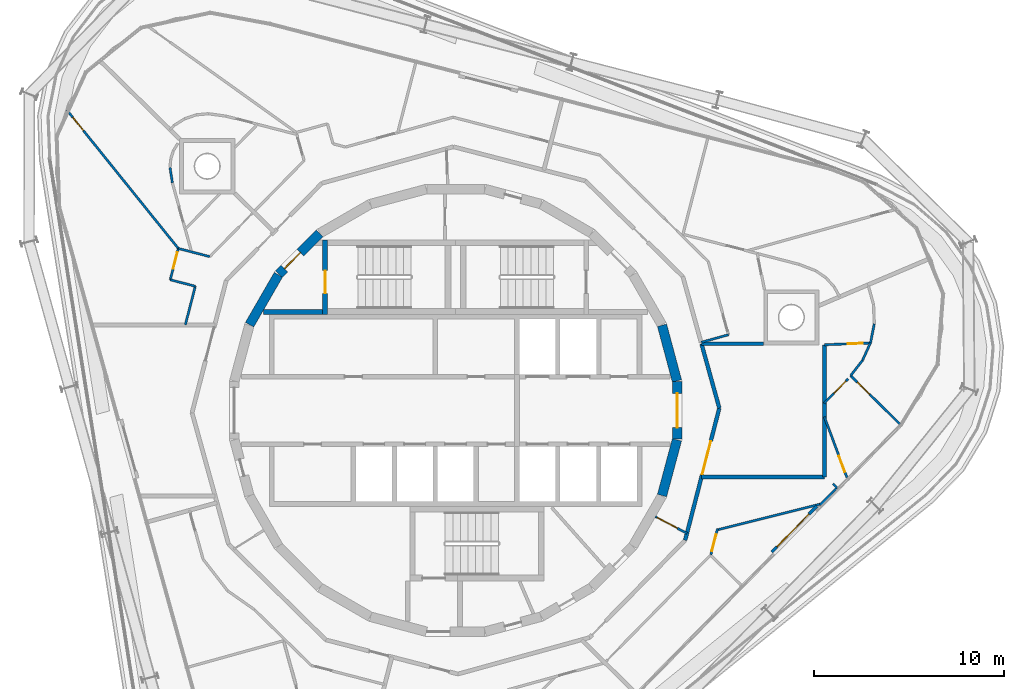
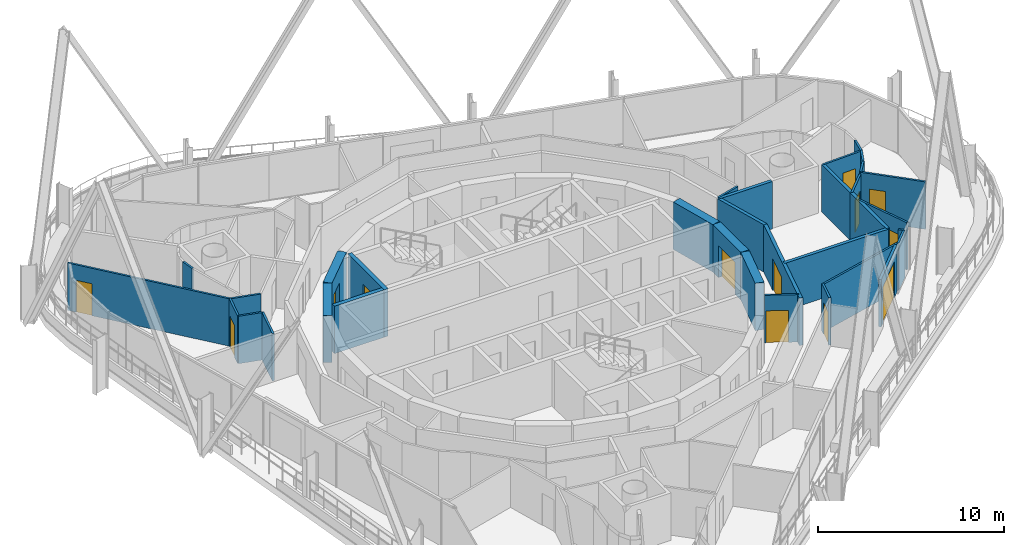
# One storey, part 12 of 18: 33 walls, 13 doors, 13 openings.
"""IFC4 building model written with IfcOpenShell, lengths in metres."""

import ifcopenshell
import ifcopenshell.guid

model = None  # the IFC model being written
_history = None  # IfcOwnerHistory: only IFC2X3 demands one
_inside = {}  # id of a spatial element -> (the spatial element, [elements in it])
_under = {}  # id of a project, library or spatial element -> (it, [spatial elements below it])
_declared = {}  # id of a project -> (the project, [libraries it declares])
_typed = {}  # id of a type object -> (the type object, [elements of that type])
_made_of = {}  # id of a material, layer set ... -> (it, [elements and type objects made of it])


def new_model(schema):
    """Start an empty IFC model of exactly this schema.

    Asked for "IFC4X3", IfcOpenShell would pick the latest addendum, in which some entities
    have other attributes; the version numbers below select the first issue.
    IFC2X3 requires an IfcOwnerHistory on every rooted entity: one is made here for all.
    """
    global model, _history
    if schema == "IFC4X3":
        model = ifcopenshell.file(schema_version=(4, 3, 0, 0))
    else:
        model = ifcopenshell.file(schema=schema)
    _inside.clear()
    _under.clear()
    _declared.clear()
    _typed.clear()
    _made_of.clear()
    _history = None
    if model.schema == "IFC2X3":
        org = make("IfcOrganization", Name="unknown")
        user = make(
            "IfcPersonAndOrganization",
            ThePerson=make("IfcPerson", FamilyName="unknown"),
            TheOrganization=org,
        )
        app = make(
            "IfcApplication",
            ApplicationDeveloper=org,
            Version="unknown",
            ApplicationFullName="unknown",
            ApplicationIdentifier="unknown",
        )
        _history = make(
            "IfcOwnerHistory",
            OwningUser=user,
            OwningApplication=app,
            ChangeAction="ADDED",
            CreationDate=0,
        )
    return model


def make(cls, **values):
    """One entity of the class cls with the attributes given. An attribute that is None is left unset."""
    return model.create_entity(
        cls, **{name: value for name, value in values.items() if value is not None}
    )


def rooted(cls, **values):
    """An entity with a GlobalId (a new one), such as an element, a storey or a relation."""
    return make(cls, GlobalId=ifcopenshell.guid.new(), OwnerHistory=_history, **values)


def si_unit(unit_type, name, prefix=None):
    """IfcSIUnit, for example si_unit("LENGTHUNIT", "METRE", prefix="MILLI")."""
    return make("IfcSIUnit", UnitType=unit_type, Prefix=prefix, Name=name)


def assignment(units):
    """IfcUnitAssignment: the units of a project."""
    return None if units is None else make("IfcUnitAssignment", Units=units)


def point(xyz):
    """IfcCartesianPoint."""
    return None if xyz is None else make("IfcCartesianPoint", Coordinates=xyz)


def direction(xyz):
    """IfcDirection."""
    return None if xyz is None else make("IfcDirection", DirectionRatios=xyz)


def frame(location, z_axis=None, x_axis=None):
    """IfcAxis2Placement3D, a coordinate frame: its origin and axes. An axis left out is left unset."""
    return make(
        "IfcAxis2Placement3D",
        Location=point(location),
        Axis=direction(z_axis),
        RefDirection=direction(x_axis),
    )


def frame_2d(location, x_axis=None):
    """IfcAxis2Placement2D, a coordinate frame in the plane: its origin and x axis."""
    return make(
        "IfcAxis2Placement2D", Location=point(location), RefDirection=direction(x_axis)
    )


def origin():
    """The frame at (0, 0, 0) with its axes left unset."""
    return frame((0.0, 0.0, 0.0))


def place(relative_to, where):
    """IfcLocalPlacement: puts the frame where relative to a parent placement (None: the world)."""
    return make(
        "IfcLocalPlacement", PlacementRelTo=relative_to, RelativePlacement=where
    )


def context(
    kind, dimensions, precision=None, world=None, true_north=None, identifier=None
):
    """IfcGeometricRepresentationContext, for example the 3D "Model" context."""
    return make(
        "IfcGeometricRepresentationContext",
        ContextIdentifier=identifier,
        ContextType=kind,
        CoordinateSpaceDimension=dimensions,
        Precision=precision,
        WorldCoordinateSystem=world,
        TrueNorth=true_north,
    )


def subcontext(parent, identifier, kind, view, scale=None):
    """IfcGeometricRepresentationSubContext, for example "Body" below "Model"."""
    return make(
        "IfcGeometricRepresentationSubContext",
        ContextIdentifier=identifier,
        ContextType=kind,
        ParentContext=parent,
        TargetScale=scale,
        TargetView=view,
    )


def project(units=None, contexts=None):
    """IfcProject with its units and contexts."""
    return rooted(
        "IfcProject",
        Name="project",
        RepresentationContexts=contexts,
        UnitsInContext=assignment(units),
    )


def spatial(cls, under=None, at=None, **own):
    """A site, building, storey or space (cls), placed at a placement, below another one or the project."""
    s = rooted(cls, ObjectPlacement=at, **own)
    if under is not None:
        _under.setdefault(under.id(), (under, []))[1].append(s)
    return s


def profile(cls, at=None, kind="AREA", **sizes):
    """A parametric profile (cls). Its sizes go by their IFC names, for example OverallWidth=200.0."""
    return make(cls, ProfileType=kind, Position=at, **sizes)


def rectangle(**sizes):
    """IfcRectangleProfileDef."""
    return profile("IfcRectangleProfileDef", **sizes)


def extrude(swept, where, along, depth):
    """IfcExtrudedAreaSolid: the profile swept, set in the frame where, extruded along a direction by depth."""
    return make(
        "IfcExtrudedAreaSolid",
        SweptArea=swept,
        Position=where,
        ExtrudedDirection=direction(along),
        Depth=depth,
    )


def shape(context_of_items, identifier, shape_type, items):
    """IfcShapeRepresentation: the items that make up one representation, for example the "Body"."""
    return make(
        "IfcShapeRepresentation",
        ContextOfItems=context_of_items,
        RepresentationIdentifier=identifier,
        RepresentationType=shape_type,
        Items=items,
    )


def material(Name=None, Category=None):
    """IfcMaterial."""
    return make("IfcMaterial", Name=Name, Category=Category)


def layer(
    of_material, thickness, ventilated=None, Name=None, Category=None, Priority=None
):
    """IfcMaterialLayer: one layer of a wall or slab, of a material (None: an air gap)."""
    return make(
        "IfcMaterialLayer",
        Material=of_material,
        LayerThickness=thickness,
        IsVentilated=ventilated,
        Name=Name,
        Category=Category,
        Priority=Priority,
    )


def layer_set(layers, Name=None):
    """IfcMaterialLayerSet."""
    return make("IfcMaterialLayerSet", MaterialLayers=layers, LayerSetName=Name)


def made_of(thing, what):
    """Note that an element or type object is made of a material, layer set ...; save() writes the relation."""
    if what is not None:
        _made_of.setdefault(what.id(), (what, []))[1].append(thing)
    return thing


def type_object(cls, material=None, **own):
    """A type object (cls), such as IfcWallType, which elements share."""
    return made_of(rooted(cls, **own), material)


def element(
    cls,
    number,
    at=None,
    inside=None,
    cuts=None,
    type_object=None,
    material=None,
    context=None,
    identifier="Body",
    shape_type=None,
    held_by="IfcProductDefinitionShape",
    body=None,
    shapes=None,
    **own,
):
    """One element of the class cls, such as IfcWall. Its Tag is "e" and its number.

    at: its placement. inside: the storey or other place that contains it. cuts: it is an
    opening in that element (IfcRelVoidsElement). A single representation is given by context,
    identifier, shape_type and body (its items); several are given by shapes. held_by: the class
    of the entity that holds the representations. save() writes the other relations.
    """
    e = rooted(cls, Tag="e%d" % number, ObjectPlacement=at, **own)
    if body is not None:
        shapes = [shape(context, identifier, shape_type, body)]
    if shapes is not None:
        e.Representation = make(held_by, Representations=shapes)
    if inside is not None:
        _inside.setdefault(inside.id(), (inside, []))[1].append(e)
    if cuts is not None:
        rooted(
            "IfcRelVoidsElement", RelatingBuildingElement=cuts, RelatedOpeningElement=e
        )
    if type_object is not None:
        _typed.setdefault(type_object.id(), (type_object, []))[1].append(e)
    return made_of(e, material)


def fill(opening, filler):
    """IfcRelFillsElement: the door or window that sits in an opening."""
    return rooted(
        "IfcRelFillsElement",
        RelatingOpeningElement=opening,
        RelatedBuildingElement=filler,
    )


def aggregate(whole, parts):
    """IfcRelAggregates: a whole, such as a stair, and the parts it consists of."""
    return rooted("IfcRelAggregates", RelatingObject=whole, RelatedObjects=parts)


def save(model, path):
    """Write the relations noted so far, then the file.

    IfcRelAggregates (storeys below a building ...), IfcRelContainedInSpatialStructure (elements
    in a storey), IfcRelDefinesByType, IfcRelAssociatesMaterial and IfcRelDeclares: one each for
    every whole, place, type object, material and project.
    """
    for whole, parts in _under.values():
        aggregate(whole, parts)
    for where, things in _inside.values():
        rooted(
            "IfcRelContainedInSpatialStructure",
            RelatedElements=things,
            RelatingStructure=where,
        )
    for kind, things in _typed.values():
        rooted("IfcRelDefinesByType", RelatedObjects=things, RelatingType=kind)
    for what, things in _made_of.values():
        rooted("IfcRelAssociatesMaterial", RelatedObjects=things, RelatingMaterial=what)
    for by, libraries in _declared.values():
        rooted("IfcRelDeclares", RelatingContext=by, RelatedDefinitions=libraries)
    model.write(path)


model = new_model("IFC4")

# Units and contexts
model_context = context("Model", 3, precision=1e-05, world=origin(), true_north=direction((0.0, 1.0)))
body_context = subcontext(model_context, "Body", "Model", "MODEL_VIEW")
ifc_project = project(units=[si_unit("LENGTHUNIT", "METRE"), si_unit("AREAUNIT", "SQUARE_METRE"), si_unit("VOLUMEUNIT", "CUBIC_METRE"), si_unit("PLANEANGLEUNIT", "RADIAN"), si_unit("MASSUNIT", "GRAM", prefix="KILO")], contexts=[model_context])

# Site, building, storey
site_placement = place(None, origin())
site = spatial("IfcSite", under=ifc_project, at=site_placement, CompositionType="ELEMENT")
building_placement = place(site_placement, origin())
building = spatial("IfcBuilding", under=site, at=building_placement, Name="Spindle Arch Residences", CompositionType="ELEMENT")
storey_placement = place(building_placement, frame((0.0, 0.0, 298.199951171875)))
storey = spatial("IfcBuildingStorey", under=building, at=storey_placement, Name="L76", CompositionType="ELEMENT", Elevation=298.199951171875)

# Wall
ifc_material_1 = material(Name="Concrete C50/60", Category="concrete")
ifc_layer_1 = layer(ifc_material_1, 0.5)
ifc_layer_set_1 = layer_set([ifc_layer_1], Name="Core outline wall 500")
wall_type_1 = type_object("IfcWallType", Name="Core outline wall 500", PredefinedType="SHEAR", material=ifc_layer_set_1)
wall_1_placement = place(storey_placement, frame((10.858154296875, -4.479248046875, 0.0), z_axis=(0.0, 0.0, 1.0), x_axis=(0.258734743916, 0.965948410781, 0.0)))
element("IfcWall", 1, at=wall_1_placement, inside=storey, type_object=wall_type_1, Name="Core outline wall 5", PredefinedType="SHEAR", context=body_context, shape_type="SweptSolid", body=[
    extrude(rectangle(XDim=3.03271484375, YDim=0.5, at=frame_2d((1.516357421875, 0.0))), origin(), (0.0, 0.0, 1.0), 3.1201171875),
])

# Wall, opening, door
wall_2_placement = place(storey_placement, frame((11.647216796875, -1.516357421875, 0.0), z_axis=(0.0, 0.0, 1.0), x_axis=(0.0, 1.0, 0.0)))
wall_2 = element("IfcWall", 2, at=wall_2_placement, inside=storey, type_object=wall_type_1, Name="Core outline wall 6", PredefinedType="SHEAR", context=body_context, shape_type="SweptSolid", body=[
    extrude(rectangle(XDim=3.03271484375, YDim=0.5, at=frame_2d((1.516357421875, 0.0))), origin(), (0.0, 0.0, 1.0), 3.1201171875),
])
opening_1_placement = place(wall_2_placement, frame((0.6162109375, 0.0, 0.0)))
opening_1 = element("IfcOpeningElement", 3, at=opening_1_placement, cuts=wall_2, Name="Opening R8A0-FE01", PredefinedType="OPENING", context=body_context, shape_type="SweptSolid", body=[
    extrude(rectangle(XDim=1.800048828125, YDim=2.10009765625, at=frame_2d((0.89990234375, 1.050048828125))), frame((0.0, 0.260009765625, 0.0), z_axis=(0.0, -1.0, 0.0), x_axis=(1.0, 0.0, 0.0)), (0.0, 0.0, 1.0), 0.52001953125),
])
ifc_material_2 = material(Name="Steel, fire-resisting door", Category="steel")
door_type_1 = type_object("IfcDoorType", Name="Fire-lift lobby door 1800x2100", OperationType="DOUBLE_DOOR_SINGLE_SWING", PredefinedType="DOOR", material=ifc_material_2)
door_1_placement = place(opening_1_placement, origin())
door_1 = element("IfcDoor", 4, at=door_1_placement, inside=storey, type_object=door_type_1, Name="Fire-lift lobby door R8A0-FE01", OperationType="DOUBLE_DOOR_SINGLE_SWING", OverallHeight=2.10009765625, OverallWidth=1.800048828125, PredefinedType="DOOR", context=body_context, shape_type="SweptSolid", body=[
    extrude(rectangle(XDim=1.800048828125, YDim=2.10009765625, at=frame_2d((0.89990234375, 1.050048828125))), frame((0.0, 0.02490234375, 0.0), z_axis=(0.0, -1.0, 0.0), x_axis=(1.0, 0.0, 0.0)), (0.0, 0.0, 1.0), 0.050048828125),
])
fill(opening_1, door_1)

# Wall
wall_3_placement = place(storey_placement, frame((11.642822265625, 1.5498046875, 0.0), z_axis=(0.0, 0.0, 1.0), x_axis=(-0.258734743916, 0.965948410781, 0.0)))
element("IfcWall", 5, at=wall_3_placement, inside=storey, type_object=wall_type_1, Name="Core outline wall 7", PredefinedType="SHEAR", context=body_context, shape_type="SweptSolid", body=[
    extrude(rectangle(XDim=3.03271484375, YDim=0.5, at=frame_2d((1.516357421875, 0.0))), origin(), (0.0, 0.0, 1.0), 3.1201171875),
])

# Wall, opening, door
wall_4_placement = place(storey_placement, frame((-7.163818359375, 9.30810546875, 0.0), z_axis=(0.0, 0.0, 1.0), x_axis=(-0.707106781187, -0.707106781187, 0.0)))
wall_4 = element("IfcWall", 6, at=wall_4_placement, inside=storey, type_object=wall_type_1, Name="Core outline wall 15", PredefinedType="SHEAR", context=body_context, shape_type="SweptSolid", body=[
    extrude(rectangle(XDim=3.032470703125, YDim=0.5, at=frame_2d((1.51611328125, 0.0))), origin(), (0.0, 0.0, 1.0), 3.1201171875),
])
opening_2_placement = place(wall_4_placement, frame((1.416259765625, 0.0, 0.0)))
opening_2 = element("IfcOpeningElement", 7, at=opening_2_placement, cuts=wall_4, Name="Opening R8A0-AD02", PredefinedType="OPENING", context=body_context, shape_type="SweptSolid", body=[
    extrude(rectangle(XDim=1.199951171875, YDim=2.10009765625, at=frame_2d((0.60009765625, 1.050048828125))), frame((0.0, 0.260009765625, 0.0), z_axis=(0.0, -1.0, 0.0), x_axis=(1.0, 0.0, 0.0)), (0.0, 0.0, 1.0), 0.52001953125),
])
ifc_material_3 = material(Name="Steel, fire-resisting door", Category="steel")
door_type_2 = type_object("IfcDoorType", Name="Stair airlock door 1200x2100", OperationType="SINGLE_SWING_LEFT", PredefinedType="DOOR", material=ifc_material_3)
door_2_placement = place(opening_2_placement, origin())
door_2 = element("IfcDoor", 8, at=door_2_placement, inside=storey, type_object=door_type_2, Name="Stair airlock door R8A0-AD02", OperationType="SINGLE_SWING_RIGHT", OverallHeight=2.10009765625, OverallWidth=1.199951171875, PredefinedType="DOOR", context=body_context, shape_type="SweptSolid", body=[
    extrude(rectangle(XDim=1.199951171875, YDim=2.10009765625, at=frame_2d((0.60009765625, 1.050048828125))), frame((0.0, 0.02490234375, 0.0), z_axis=(0.0, -1.0, 0.0), x_axis=(1.0, 0.0, 0.0)), (0.0, 0.0, 1.0), 0.050048828125),
])
fill(opening_2, door_2)

# Wall
wall_5_placement = place(storey_placement, frame((-9.32861328125, 7.13671875, 0.0), z_axis=(0.0, 0.0, 1.0), x_axis=(-0.500087131594, -0.865975092491, 0.0)))
element("IfcWall", 9, at=wall_5_placement, inside=storey, type_object=wall_type_1, Name="Core outline wall 16", PredefinedType="SHEAR", context=body_context, shape_type="SweptSolid", body=[
    extrude(rectangle(XDim=3.03271484375, YDim=0.5, at=frame_2d((1.516357421875, 0.0))), origin(), (0.0, 0.0, 1.0), 3.1201171875),
])

# Wall, opening, door
ifc_material_4 = material(Name="Plasterboard on steel studs", Category="steel")
ifc_layer_2 = layer(ifc_material_4, 0.1201171875)
ifc_layer_set_2 = layer_set([ifc_layer_2], Name="Corridor division wall 120")
wall_type_2 = type_object("IfcWallType", Name="Corridor division wall 120", PredefinedType="PARTITIONING", material=ifc_layer_set_2)
wall_6_placement = place(storey_placement, frame((10.510986328125, -5.5888671875, 0.0), z_axis=(0.0, 0.0, 1.0), x_axis=(0.882957311919, -0.469453283437, 0.0)))
wall_6 = element("IfcWall", 10, at=wall_6_placement, inside=storey, type_object=wall_type_2, Name="Corridor division wall R8A0-W002", PredefinedType="PARTITIONING", context=body_context, shape_type="SweptSolid", body=[
    extrude(rectangle(XDim=1.87646484375, YDim=0.1201171875, at=frame_2d((0.938232421875, 0.0))), origin(), (0.0, 0.0, 1.0), 3.1201171875),
])
opening_3_placement = place(wall_6_placement, frame((0.10009765625, 0.0, 0.0)))
opening_3 = element("IfcOpeningElement", 11, at=opening_3_placement, cuts=wall_6, Name="Opening R8A0-CD02", PredefinedType="OPENING", context=body_context, shape_type="SweptSolid", body=[
    extrude(rectangle(XDim=1.199951171875, YDim=2.10009765625, at=frame_2d((0.60009765625, 1.050048828125))), frame((0.0, 0.070068359375, 0.0), z_axis=(0.0, -1.0, 0.0), x_axis=(1.0, 0.0, 0.0)), (0.0, 0.0, 1.0), 0.14013671875),
])
ifc_material_5 = material(Name="Steel, fire-resisting door", Category="steel")
door_type_3 = type_object("IfcDoorType", Name="Corridor division door 1200x2100", OperationType="NOTDEFINED", PredefinedType="DOOR", material=ifc_material_5)
door_3_placement = place(opening_3_placement, origin())
door_3 = element("IfcDoor", 12, at=door_3_placement, inside=storey, type_object=door_type_3, Name="Corridor division door R8A0-CD02", OperationType="DOUBLE_DOOR_SINGLE_SWING", OverallHeight=2.10009765625, OverallWidth=1.199951171875, PredefinedType="DOOR", context=body_context, shape_type="SweptSolid", body=[
    extrude(rectangle(XDim=1.199951171875, YDim=2.10009765625, at=frame_2d((0.60009765625, 1.050048828125))), frame((0.0, 0.02490234375, 0.0), z_axis=(0.0, -1.0, 0.0), x_axis=(1.0, 0.0, 0.0)), (0.0, 0.0, 1.0), 0.050048828125),
])
fill(opening_3, door_3)

ifc_material_6 = material(Name="Calcium silicate block, plastered")
ifc_layer_3 = layer(ifc_material_6, 0.199951171875)
ifc_layer_set_3 = layer_set([ifc_layer_3], Name="Fire-lift lobby bay wall 200")
wall_type_3 = type_object("IfcWallType", Name="Fire-lift lobby bay wall 200", PredefinedType="STANDARD", material=ifc_layer_set_3)
wall_7_placement = place(storey_placement, frame((12.07421875, -6.831298828125, 0.0), z_axis=(0.0, 0.0, 1.0), x_axis=(0.250391063186, 0.968144780225, 0.0)))
wall_7 = element("IfcWall", 13, at=wall_7_placement, inside=storey, type_object=wall_type_3, Name="Fire-lift lobby bay wall R8A0-W004", PredefinedType="STANDARD", context=body_context, shape_type="SweptSolid", body=[
    extrude(rectangle(XDim=7.18115234375, YDim=0.199951171875, at=frame_2d((3.590576171875, 0.0))), origin(), (0.0, 0.0, 1.0), 3.1201171875),
])
opening_4_placement = place(wall_7_placement, frame((3.580810546875, 0.0, 0.0)))
opening_4 = element("IfcOpeningElement", 14, at=opening_4_placement, cuts=wall_7, Name="Opening R8A0-FB01", PredefinedType="OPENING", context=body_context, shape_type="SweptSolid", body=[
    extrude(rectangle(XDim=1.800048828125, YDim=2.10009765625, at=frame_2d((0.89990234375, 1.050048828125))), frame((0.0, 0.10986328125, 0.0), z_axis=(0.0, -1.0, 0.0), x_axis=(1.0, 0.0, 0.0)), (0.0, 0.0, 1.0), 0.219970703125),
])
ifc_material_7 = material(Name="Steel, fire-resisting door", Category="steel")
door_type_4 = type_object("IfcDoorType", Name="Fire-lift lobby bay door 1800x2100", OperationType="NOTDEFINED", PredefinedType="DOOR", material=ifc_material_7)
door_4_placement = place(opening_4_placement, origin())
door_4 = element("IfcDoor", 15, at=door_4_placement, inside=storey, type_object=door_type_4, Name="Fire-lift lobby bay door R8A0-FB01", OperationType="DOUBLE_DOOR_SINGLE_SWING", OverallHeight=2.10009765625, OverallWidth=1.800048828125, PredefinedType="DOOR", context=body_context, shape_type="SweptSolid", body=[
    extrude(rectangle(XDim=1.800048828125, YDim=2.10009765625, at=frame_2d((0.89990234375, 1.050048828125))), frame((0.0, 0.02490234375, 0.0), z_axis=(0.0, -1.0, 0.0), x_axis=(1.0, 0.0, 0.0)), (0.0, 0.0, 1.0), 0.050048828125),
])
fill(opening_4, door_4)

# Walls
wall_8_placement = place(storey_placement, frame((13.872314453125, 0.12109375, 0.0), z_axis=(0.0, 0.0, 1.0), x_axis=(-0.267291928416, 0.963615600228, 0.0)))
element("IfcWall", 16, at=wall_8_placement, inside=storey, type_object=wall_type_3, Name="Fire-lift lobby bay wall R8A0-W005", PredefinedType="STANDARD", context=body_context, shape_type="SweptSolid", body=[
    extrude(rectangle(XDim=3.506591796875, YDim=0.199951171875, at=frame_2d((1.75341796875, 0.0))), origin(), (0.0, 0.0, 1.0), 3.1201171875),
])
wall_9_placement = place(storey_placement, frame((16.20263671875, 3.510009765625, 0.0), z_axis=(0.0, 0.0, 1.0), x_axis=(-1.0, 0.0, 0.0)))
element("IfcWall", 17, at=wall_9_placement, inside=storey, type_object=wall_type_3, Name="Fire-lift lobby bay wall R8A0-W019", PredefinedType="STANDARD", context=body_context, shape_type="SweptSolid", body=[
    extrude(rectangle(XDim=3.260009765625, YDim=0.199951171875, at=frame_2d((1.6298828125, 0.0))), origin(), (0.0, 0.0, 1.0), 3.1201171875),
])
wall_10_placement = place(storey_placement, frame((12.935791015625, -3.5, 0.0), z_axis=(0.0, 0.0, 1.0), x_axis=(1.0, 0.0, 0.0)))
element("IfcWall", 18, at=wall_10_placement, inside=storey, type_object=wall_type_3, Name="Fire-lift lobby bay wall R8A0-W020", PredefinedType="STANDARD", context=body_context, shape_type="SweptSolid", body=[
    extrude(rectangle(XDim=6.464111328125, YDim=0.199951171875, at=frame_2d((3.23193359375, 0.0))), origin(), (0.0, 0.0, 1.0), 3.1201171875),
])
wall_11_placement = place(storey_placement, frame((19.39990234375, -3.5, 0.0), z_axis=(0.0, 0.0, 1.0), x_axis=(0.0, 1.0, 0.0)))
element("IfcWall", 19, at=wall_11_placement, inside=storey, type_object=wall_type_3, Name="Fire-lift lobby bay wall R8A0-W021", PredefinedType="STANDARD", context=body_context, shape_type="SweptSolid", body=[
    extrude(rectangle(XDim=3.888671875, YDim=0.199951171875, at=frame_2d((1.9443359375, 0.0))), origin(), (0.0, 0.0, 1.0), 3.1201171875),
])
wall_12_placement = place(storey_placement, frame((19.39990234375, 0.388671875, 0.0), z_axis=(0.0, 0.0, 1.0), x_axis=(0.0, 1.0, 0.0)))
element("IfcWall", 20, at=wall_12_placement, inside=storey, type_object=wall_type_3, Name="Fire-lift lobby bay wall R8A0-W022", PredefinedType="STANDARD", context=body_context, shape_type="SweptSolid", body=[
    extrude(rectangle(XDim=3.065185546875, YDim=0.199951171875, at=frame_2d((1.53271484375, 0.0))), origin(), (0.0, 0.0, 1.0), 3.1201171875),
])
ifc_material_8 = material(Name="Plasterboard on steel studs", Category="steel")
ifc_layer_4 = layer(ifc_material_8, 0.1201171875)
ifc_layer_set_4 = layer_set([ifc_layer_4], Name="Flat partition 120")
wall_type_4 = type_object("IfcWallType", Name="Flat partition 120", PredefinedType="PARTITIONING", material=ifc_layer_set_4)
wall_13_placement = place(storey_placement, frame((12.927001953125, 3.5849609375, 0.0), z_axis=(0.0, 0.0, 1.0), x_axis=(0.963616756608, 0.26728775951, 0.0)))
element("IfcWall", 21, at=wall_13_placement, inside=storey, type_object=wall_type_4, Name="Flat partition R8A0-W032", PredefinedType="PARTITIONING", context=body_context, shape_type="SweptSolid", body=[
    extrude(rectangle(XDim=1.485107421875, YDim=0.1201171875, at=frame_2d((0.74267578125, 0.0))), origin(), (0.0, 0.0, 1.0), 3.1201171875),
])
wall_14_placement = place(storey_placement, frame((-12.938720703125, 8.091552734375, 0.0), z_axis=(0.0, 0.0, 1.0), x_axis=(-0.968179141411, 0.250258166974, 0.0)))
element("IfcWall", 22, at=wall_14_placement, inside=storey, type_object=wall_type_4, Name="Flat partition R8A0-W059", PredefinedType="PARTITIONING", context=body_context, shape_type="SweptSolid", body=[
    extrude(rectangle(XDim=1.709228515625, YDim=0.1201171875, at=frame_2d((0.8544921875, 0.0))), origin(), (0.0, 0.0, 1.0), 3.1201171875),
])

# Wall, opening, door
wall_15_placement = place(storey_placement, frame((-14.593505859375, 8.519287109375, 0.0), z_axis=(0.0, 0.0, 1.0), x_axis=(-0.250468695288, -0.968124698931, 0.0)))
wall_15 = element("IfcWall", 23, at=wall_15_placement, inside=storey, type_object=wall_type_4, Name="Flat partition R8A0-W060", PredefinedType="PARTITIONING", context=body_context, shape_type="SweptSolid", body=[
    extrude(rectangle(XDim=1.699951171875, YDim=0.1201171875, at=frame_2d((0.85009765625, 0.0))), origin(), (0.0, 0.0, 1.0), 3.1201171875),
])
opening_5_placement = place(wall_15_placement, frame((0.199951171875, 0.0, 0.0)))
opening_5 = element("IfcOpeningElement", 24, at=opening_5_placement, cuts=wall_15, Name="Opening R8A0-ID10", PredefinedType="OPENING", context=body_context, shape_type="SweptSolid", body=[
    extrude(rectangle(XDim=0.89990234375, YDim=2.10009765625, at=frame_2d((0.449951171875, 1.050048828125))), frame((0.0, 0.070068359375, 0.0), z_axis=(0.0, -1.0, 0.0), x_axis=(1.0, 0.0, 0.0)), (0.0, 0.0, 1.0), 0.14013671875),
])
ifc_material_9 = material(Name="Timber door set", Category="wood")
door_type_5 = type_object("IfcDoorType", Name="Room door 900x2100", OperationType="NOTDEFINED", PredefinedType="DOOR", material=ifc_material_9)
door_5_placement = place(opening_5_placement, origin())
door_5 = element("IfcDoor", 25, at=door_5_placement, inside=storey, type_object=door_type_5, Name="Room door R8A0-ID10", OperationType="SINGLE_SWING_LEFT", OverallHeight=2.10009765625, OverallWidth=0.89990234375, PredefinedType="DOOR", context=body_context, shape_type="SweptSolid", body=[
    extrude(rectangle(XDim=0.89990234375, YDim=2.10009765625, at=frame_2d((0.449951171875, 1.050048828125))), frame((0.0, 0.02490234375, 0.0), z_axis=(0.0, -1.0, 0.0), x_axis=(1.0, 0.0, 0.0)), (0.0, 0.0, 1.0), 0.050048828125),
])
fill(opening_5, door_5)

# Walls
wall_16_placement = place(storey_placement, frame((-15.019287109375, 6.87353515625, 0.0), z_axis=(0.0, 0.0, 1.0), x_axis=(0.968182114673, -0.250246663967, 0.0)))
element("IfcWall", 26, at=wall_16_placement, inside=storey, type_object=wall_type_4, Name="Flat partition R8A0-W061", PredefinedType="PARTITIONING", context=body_context, shape_type="SweptSolid", body=[
    extrude(rectangle(XDim=1.36181640625, YDim=0.1201171875, at=frame_2d((0.680908203125, 0.0))), origin(), (0.0, 0.0, 1.0), 3.1201171875),
])
wall_17_placement = place(storey_placement, frame((-13.70068359375, 6.53271484375, 0.0), z_axis=(0.0, 0.0, 1.0), x_axis=(-0.250352755349, -0.968154686963, 0.0)))
element("IfcWall", 27, at=wall_17_placement, inside=storey, type_object=wall_type_4, Name="Flat partition R8A0-W062", PredefinedType="PARTITIONING", context=body_context, shape_type="SweptSolid", body=[
    extrude(rectangle(XDim=2.099609375, YDim=0.1201171875, at=frame_2d((1.0498046875, 0.0))), origin(), (0.0, 0.0, 1.0), 3.1201171875),
])
wall_18_placement = place(storey_placement, frame((-14.9072265625, 11.975830078125, 0.0), z_axis=(0.0, 0.0, 1.0), x_axis=(-0.153398456533, 0.988164416245, 0.0)))
element("IfcWall", 28, at=wall_18_placement, inside=storey, type_object=wall_type_4, Name="Flat partition R8A0-W064", PredefinedType="PARTITIONING", context=body_context, shape_type="SweptSolid", body=[
    extrude(rectangle(XDim=0.806884765625, YDim=0.1201171875, at=frame_2d((0.4033203125, 0.0))), origin(), (0.0, 0.0, 1.0), 3.1201171875),
])

# Wall, opening, door
wall_19_placement = place(storey_placement, frame((-20.46630859375, 15.812255859375, 0.0), z_axis=(0.0, 0.0, 1.0), x_axis=(0.62719424473, -0.77886287585, 0.0)))
wall_19 = element("IfcWall", 29, at=wall_19_placement, inside=storey, type_object=wall_type_4, Name="Flat partition R8A0-W068", PredefinedType="PARTITIONING", context=body_context, shape_type="SweptSolid", body=[
    extrude(rectangle(XDim=9.363525390625, YDim=0.1201171875, at=frame_2d((4.681640625, 0.0))), origin(), (0.0, 0.0, 1.0), 3.1201171875),
])
opening_6_placement = place(wall_19_placement, frame((0.5, 0.0, 0.0)))
opening_6 = element("IfcOpeningElement", 30, at=opening_6_placement, cuts=wall_19, Name="Opening R8A0-ID11", PredefinedType="OPENING", context=body_context, shape_type="SweptSolid", body=[
    extrude(rectangle(XDim=0.89990234375, YDim=2.10009765625, at=frame_2d((0.449951171875, 1.050048828125))), frame((0.0, 0.070068359375, 0.0), z_axis=(0.0, -1.0, 0.0), x_axis=(1.0, 0.0, 0.0)), (0.0, 0.0, 1.0), 0.14013671875),
])
door_6_placement = place(opening_6_placement, origin())
door_6 = element("IfcDoor", 31, at=door_6_placement, inside=storey, type_object=door_type_5, Name="Room door R8A0-ID11", OperationType="SINGLE_SWING_LEFT", OverallHeight=2.10009765625, OverallWidth=0.89990234375, PredefinedType="DOOR", context=body_context, shape_type="SweptSolid", body=[
    extrude(rectangle(XDim=0.89990234375, YDim=2.10009765625, at=frame_2d((0.449951171875, 1.050048828125))), frame((0.0, 0.02490234375, 0.0), z_axis=(0.0, -1.0, 0.0), x_axis=(1.0, 0.0, 0.0)), (0.0, 0.0, 1.0), 0.050048828125),
])
fill(opening_6, door_6)

wall_20_placement = place(storey_placement, frame((13.42578125, -7.595947265625, 0.0), z_axis=(0.0, 0.0, 1.0), x_axis=(0.250380027586, 0.968147634292, 0.0)))
wall_20 = element("IfcWall", 32, at=wall_20_placement, inside=storey, type_object=wall_type_4, Name="Flat partition R8A0-W097", PredefinedType="PARTITIONING", context=body_context, shape_type="SweptSolid", body=[
    extrude(rectangle(XDim=1.411865234375, YDim=0.1201171875, at=frame_2d((0.7060546875, 0.0))), origin(), (0.0, 0.0, 1.0), 3.1201171875),
])
opening_7_placement = place(wall_20_placement, frame((0.199951171875, 0.0, 0.0)))
opening_7 = element("IfcOpeningElement", 33, at=opening_7_placement, cuts=wall_20, Name="Opening R8A0-ID22", PredefinedType="OPENING", context=body_context, shape_type="SweptSolid", body=[
    extrude(rectangle(XDim=0.89990234375, YDim=2.10009765625, at=frame_2d((0.449951171875, 1.050048828125))), frame((0.0, 0.070068359375, 0.0), z_axis=(0.0, -1.0, 0.0), x_axis=(1.0, 0.0, 0.0)), (0.0, 0.0, 1.0), 0.14013671875),
])
door_7_placement = place(opening_7_placement, origin())
door_7 = element("IfcDoor", 34, at=door_7_placement, inside=storey, type_object=door_type_5, Name="Room door R8A0-ID22", OperationType="SINGLE_SWING_RIGHT", OverallHeight=2.10009765625, OverallWidth=0.89990234375, PredefinedType="DOOR", context=body_context, shape_type="SweptSolid", body=[
    extrude(rectangle(XDim=0.89990234375, YDim=2.10009765625, at=frame_2d((0.449951171875, 1.050048828125))), frame((0.0, 0.02490234375, 0.0), z_axis=(0.0, -1.0, 0.0), x_axis=(1.0, 0.0, 0.0)), (0.0, 0.0, 1.0), 0.050048828125),
])
fill(opening_7, door_7)

# Walls
wall_21_placement = place(storey_placement, frame((13.7919921875, -6.27978515625, 0.0), z_axis=(0.0, 0.0, 1.0), x_axis=(0.970009253073, 0.243067992449, 0.0)))
element("IfcWall", 35, at=wall_21_placement, inside=storey, type_object=wall_type_4, Name="Flat partition R8A0-W098", PredefinedType="PARTITIONING", context=body_context, shape_type="SweptSolid", body=[
    extrude(rectangle(XDim=5.610595703125, YDim=0.1201171875, at=frame_2d((2.80517578125, 0.0))), origin(), (0.0, 0.0, 1.0), 3.1201171875),
])
wall_22_placement = place(storey_placement, frame((19.180419921875, -4.970703125, 0.0), z_axis=(0.0, 0.0, 1.0), x_axis=(0.700974030867, 0.713186797445, 0.0)))
element("IfcWall", 36, at=wall_22_placement, inside=storey, type_object=wall_type_4, Name="Flat partition R8A0-W099", PredefinedType="PARTITIONING", context=body_context, shape_type="SweptSolid", body=[
    extrude(rectangle(XDim=1.259521484375, YDim=0.1201171875, at=frame_2d((0.6298828125, 0.0))), origin(), (0.0, 0.0, 1.0), 3.1201171875),
])

# Wall, opening, door
wall_23_placement = place(storey_placement, frame((20.589599609375, -3.536865234375, 0.0), z_axis=(0.0, 0.0, 1.0), x_axis=(-0.348621180513, 0.937263715556, 0.0)))
wall_23 = element("IfcWall", 37, at=wall_23_placement, inside=storey, type_object=wall_type_4, Name="Flat partition R8A0-W100", PredefinedType="PARTITIONING", context=body_context, shape_type="SweptSolid", body=[
    extrude(rectangle(XDim=3.41259765625, YDim=0.1201171875, at=frame_2d((1.706298828125, 0.0))), origin(), (0.0, 0.0, 1.0), 3.1201171875),
])
opening_8_placement = place(wall_23_placement, frame((0.320068359375, 0.0, 0.0)))
opening_8 = element("IfcOpeningElement", 38, at=opening_8_placement, cuts=wall_23, Name="Opening R8A0-ID23", PredefinedType="OPENING", context=body_context, shape_type="SweptSolid", body=[
    extrude(rectangle(XDim=0.89990234375, YDim=2.10009765625, at=frame_2d((0.449951171875, 1.050048828125))), frame((0.0, 0.070068359375, 0.0), z_axis=(0.0, -1.0, 0.0), x_axis=(1.0, 0.0, 0.0)), (0.0, 0.0, 1.0), 0.14013671875),
])
door_8_placement = place(opening_8_placement, origin())
door_8 = element("IfcDoor", 39, at=door_8_placement, inside=storey, type_object=door_type_5, Name="Room door R8A0-ID23", OperationType="SINGLE_SWING_RIGHT", OverallHeight=2.10009765625, OverallWidth=0.89990234375, PredefinedType="DOOR", context=body_context, shape_type="SweptSolid", body=[
    extrude(rectangle(XDim=0.89990234375, YDim=2.10009765625, at=frame_2d((0.449951171875, 1.050048828125))), frame((0.0, 0.02490234375, 0.0), z_axis=(0.0, -1.0, 0.0), x_axis=(1.0, 0.0, 0.0)), (0.0, 0.0, 1.0), 0.050048828125),
])
fill(opening_8, door_8)

# Walls
wall_24_placement = place(storey_placement, frame((20.78125, 1.82861328125, 0.0), z_axis=(0.0, 0.0, 1.0), x_axis=(0.613326972183, 0.789829111386, 0.0)))
element("IfcWall", 40, at=wall_24_placement, inside=storey, type_object=wall_type_4, Name="Flat partition R8A0-W101", PredefinedType="PARTITIONING", context=body_context, shape_type="SweptSolid", body=[
    extrude(rectangle(XDim=1.01953125, YDim=0.1201171875, at=frame_2d((0.509765625, 0.0))), origin(), (0.0, 0.0, 1.0), 3.1201171875),
])
wall_25_placement = place(storey_placement, frame((21.406494140625, 2.6337890625, 0.0), z_axis=(0.0, 0.0, 1.0), x_axis=(0.414726005229, 0.909946339399, 0.0)))
element("IfcWall", 41, at=wall_25_placement, inside=storey, type_object=wall_type_4, Name="Flat partition R8A0-W102", PredefinedType="PARTITIONING", context=body_context, shape_type="SweptSolid", body=[
    extrude(rectangle(XDim=1.01611328125, YDim=0.1201171875, at=frame_2d((0.508056640625, 0.0))), origin(), (0.0, 0.0, 1.0), 3.1201171875),
])

# Wall, opening, door
wall_26_placement = place(storey_placement, frame((21.822021484375, 3.54541015625, 0.0), z_axis=(0.0, 0.0, 1.0), x_axis=(-0.999286397149, -0.037771635816, 0.0)))
wall_26 = element("IfcWall", 42, at=wall_26_placement, inside=storey, type_object=wall_type_4, Name="Flat partition R8A0-W103", PredefinedType="PARTITIONING", context=body_context, shape_type="SweptSolid", body=[
    extrude(rectangle(XDim=2.423828125, YDim=0.1201171875, at=frame_2d((1.2119140625, 0.0))), origin(), (0.0, 0.0, 1.0), 3.1201171875),
])
opening_9_placement = place(wall_26_placement, frame((0.39990234375, 0.0, 0.0)))
opening_9 = element("IfcOpeningElement", 43, at=opening_9_placement, cuts=wall_26, Name="Opening R8A0-BD06", PredefinedType="OPENING", context=body_context, shape_type="SweptSolid", body=[
    extrude(rectangle(XDim=0.800048828125, YDim=2.10009765625, at=frame_2d((0.39990234375, 1.050048828125))), frame((0.0, 0.070068359375, 0.0), z_axis=(0.0, -1.0, 0.0), x_axis=(1.0, 0.0, 0.0)), (0.0, 0.0, 1.0), 0.14013671875),
])
ifc_material_10 = material(Name="Timber door set", Category="wood")
door_type_6 = type_object("IfcDoorType", Name="Bathroom door 800x2100", OperationType="NOTDEFINED", PredefinedType="DOOR", material=ifc_material_10)
door_9_placement = place(opening_9_placement, origin())
door_9 = element("IfcDoor", 44, at=door_9_placement, inside=storey, type_object=door_type_6, Name="Bathroom door R8A0-BD06", OperationType="SINGLE_SWING_RIGHT", OverallHeight=2.10009765625, OverallWidth=0.800048828125, PredefinedType="DOOR", context=body_context, shape_type="SweptSolid", body=[
    extrude(rectangle(XDim=0.800048828125, YDim=2.10009765625, at=frame_2d((0.39990234375, 1.050048828125))), frame((0.0, 0.02490234375, 0.0), z_axis=(0.0, -1.0, 0.0), x_axis=(1.0, 0.0, 0.0)), (0.0, 0.0, 1.0), 0.050048828125),
])
fill(opening_9, door_9)

wall_27_placement = place(storey_placement, frame((19.39990234375, 0.388671875, 0.0), z_axis=(0.0, 0.0, 1.0), x_axis=(0.700870484553, 0.713288555833, 0.0)))
wall_27 = element("IfcWall", 45, at=wall_27_placement, inside=storey, type_object=wall_type_4, Name="Flat partition R8A0-W104", PredefinedType="PARTITIONING", context=body_context, shape_type="SweptSolid", body=[
    extrude(rectangle(XDim=1.7890625, YDim=0.1201171875, at=frame_2d((0.89453125, 0.0))), origin(), (0.0, 0.0, 1.0), 3.1201171875),
])
opening_10_placement = place(wall_27_placement, frame((0.719970703125, 0.0, 0.0)))
opening_10 = element("IfcOpeningElement", 46, at=opening_10_placement, cuts=wall_27, Name="Opening R8A0-ID24", PredefinedType="OPENING", context=body_context, shape_type="SweptSolid", body=[
    extrude(rectangle(XDim=0.89990234375, YDim=2.10009765625, at=frame_2d((0.449951171875, 1.050048828125))), frame((0.0, 0.070068359375, 0.0), z_axis=(0.0, -1.0, 0.0), x_axis=(1.0, 0.0, 0.0)), (0.0, 0.0, 1.0), 0.14013671875),
])
door_10_placement = place(opening_10_placement, origin())
door_10 = element("IfcDoor", 47, at=door_10_placement, inside=storey, type_object=door_type_5, Name="Room door R8A0-ID24", OperationType="SINGLE_SWING_LEFT", OverallHeight=2.10009765625, OverallWidth=0.89990234375, PredefinedType="DOOR", context=body_context, shape_type="SweptSolid", body=[
    extrude(rectangle(XDim=0.89990234375, YDim=2.10009765625, at=frame_2d((0.449951171875, 1.050048828125))), frame((0.0, 0.02490234375, 0.0), z_axis=(0.0, -1.0, 0.0), x_axis=(1.0, 0.0, 0.0)), (0.0, 0.0, 1.0), 0.050048828125),
])
fill(opening_10, door_10)

# Wall
wall_28_placement = place(storey_placement, frame((22.024658203125, 4.554931640625, 0.0), z_axis=(0.0, 0.0, 1.0), x_axis=(-0.193712169286, -0.981058405739, 0.0)))
element("IfcWall", 48, at=wall_28_placement, inside=storey, type_object=wall_type_4, Name="Flat partition R8A0-W107", PredefinedType="PARTITIONING", context=body_context, shape_type="SweptSolid", body=[
    extrude(rectangle(XDim=1.015869140625, YDim=0.1201171875, at=frame_2d((0.5078125, 0.0))), origin(), (0.0, 0.0, 1.0), 3.1201171875),
])

# Wall, opening, door
wall_29_placement = place(storey_placement, frame((20.78125, 1.82861328125, 0.0), z_axis=(0.0, 0.0, 1.0), x_axis=(0.713277344744, -0.700881894099, 0.0)))
wall_29 = element("IfcWall", 49, at=wall_29_placement, inside=storey, type_object=wall_type_4, Name="Flat partition R8A0-W108", PredefinedType="PARTITIONING", context=body_context, shape_type="SweptSolid", body=[
    extrude(rectangle(XDim=3.6240234375, YDim=0.1201171875, at=frame_2d((1.81201171875, 0.0))), origin(), (0.0, 0.0, 1.0), 3.1201171875),
])
opening_11_placement = place(wall_29_placement, frame((0.5, 0.0, 0.0)))
opening_11 = element("IfcOpeningElement", 50, at=opening_11_placement, cuts=wall_29, Name="Opening R8A0-ID25", PredefinedType="OPENING", context=body_context, shape_type="SweptSolid", body=[
    extrude(rectangle(XDim=0.89990234375, YDim=2.10009765625, at=frame_2d((0.449951171875, 1.050048828125))), frame((0.0, 0.070068359375, 0.0), z_axis=(0.0, -1.0, 0.0), x_axis=(1.0, 0.0, 0.0)), (0.0, 0.0, 1.0), 0.14013671875),
])
door_11_placement = place(opening_11_placement, origin())
door_11 = element("IfcDoor", 51, at=door_11_placement, inside=storey, type_object=door_type_5, Name="Room door R8A0-ID25", OperationType="SINGLE_SWING_RIGHT", OverallHeight=2.10009765625, OverallWidth=0.89990234375, PredefinedType="DOOR", context=body_context, shape_type="SweptSolid", body=[
    extrude(rectangle(XDim=0.89990234375, YDim=2.10009765625, at=frame_2d((0.449951171875, 1.050048828125))), frame((0.0, 0.02490234375, 0.0), z_axis=(0.0, -1.0, 0.0), x_axis=(1.0, 0.0, 0.0)), (0.0, 0.0, 1.0), 0.050048828125),
])
fill(opening_11, door_11)

# Wall
wall_30_placement = place(storey_placement, frame((20.063232421875, -4.072509765625, 0.0), z_axis=(0.0, 0.0, 1.0), x_axis=(-0.7135861572, 0.700567481584, 0.0)))
element("IfcWall", 52, at=wall_30_placement, inside=storey, type_object=wall_type_4, Name="Flat partition R8A0-W110", PredefinedType="PARTITIONING", context=body_context, shape_type="SweptSolid", body=[
    extrude(rectangle(XDim=0.300048828125, YDim=0.1201171875, at=frame_2d((0.14990234375, 0.0))), origin(), (0.0, 0.0, 1.0), 3.1201171875),
])

# Wall, opening, door
ifc_material_11 = material(Name="Non-combustible mineral wool insulated aluminium faced external wall (K0)", Category="aluminium")
ifc_layer_5 = layer(ifc_material_11, 0.159912109375)
ifc_layer_set_5 = layer_set([ifc_layer_5], Name="Insulated external wall panel 160")
wall_type_5 = type_object("IfcWallType", Name="Insulated external wall panel 160", PredefinedType="STANDARD", material=ifc_layer_set_5)
wall_31_placement = place(storey_placement, frame((16.6259765625, -7.456298828125, 0.0), z_axis=(0.0, 0.0, 1.0), x_axis=(0.700902547194, 0.713257049973, 0.0)))
wall_31 = element("IfcWall", 53, at=wall_31_placement, inside=storey, type_object=wall_type_5, Name="External wall L76 bay 1", PredefinedType="STANDARD", context=body_context, shape_type="SweptSolid", body=[
    extrude(rectangle(XDim=3.39892578125, YDim=0.159912109375, at=frame_2d((1.699462890625, 0.0))), origin(), (0.0, 0.0, 1.0), 3.1201171875),
])
opening_12_placement = place(wall_31_placement, frame((0.39990234375, 0.0, 0.0)))
opening_12 = element("IfcOpeningElement", 54, at=opening_12_placement, cuts=wall_31, Name="Opening BD01", PredefinedType="OPENING", context=body_context, shape_type="SweptSolid", body=[
    extrude(rectangle(XDim=2.39990234375, YDim=2.39990234375, at=frame_2d((1.199951171875, 1.199951171875))), frame((0.0, 0.08984375, 0.0), z_axis=(0.0, -1.0, 0.0), x_axis=(1.0, 0.0, 0.0)), (0.0, 0.0, 1.0), 0.179931640625),
])
ifc_material_12 = material(Name="Bronze aluminium frame, tinted double glazing", Category="aluminium")
door_type_7 = type_object("IfcDoorType", Name="Sliding glazed balcony door 2400x2400", OperationType="DOUBLE_DOOR_SLIDING", PredefinedType="DOOR", material=ifc_material_12)
door_12_placement = place(opening_12_placement, origin())
door_12 = element("IfcDoor", 55, at=door_12_placement, inside=storey, type_object=door_type_7, Name="Balcony door BD01", OperationType="DOUBLE_DOOR_SLIDING", OverallHeight=2.39990234375, OverallWidth=2.39990234375, PredefinedType="DOOR", context=body_context, shape_type="SweptSolid", body=[
    extrude(rectangle(XDim=2.39990234375, YDim=2.39990234375, at=frame_2d((1.199951171875, 1.199951171875))), frame((0.0, 0.02490234375, 0.0), z_axis=(0.0, -1.0, 0.0), x_axis=(1.0, 0.0, 0.0)), (0.0, 0.0, 1.0), 0.050048828125),
])
fill(opening_12, door_12)

# Wall
ifc_material_13 = material(Name="Concrete C40/50", Category="concrete")
ifc_layer_6 = layer(ifc_material_13, 0.25)
ifc_layer_set_6 = layer_set([ifc_layer_6], Name="Stair airlock wall 250")
wall_type_6 = type_object("IfcWallType", Name="Stair airlock wall 250", PredefinedType="SHEAR", material=ifc_layer_set_6)
wall_32_placement = place(storey_placement, frame((-7.0, 5.175048828125, 0.0), z_axis=(0.0, 0.0, 1.0), x_axis=(-1.0, 0.0, 0.0)))
element("IfcWall", 56, at=wall_32_placement, inside=storey, type_object=wall_type_6, Name="Stair ST-2 airlock wall S", PredefinedType="SHEAR", context=body_context, shape_type="SweptSolid", body=[
    extrude(rectangle(XDim=3.10009765625, YDim=0.25, at=frame_2d((1.550048828125, 0.0))), origin(), (0.0, 0.0, 1.0), 3.1201171875),
])

# Wall, opening, door
ifc_material_14 = material(Name="Concrete C50/60", Category="concrete")
ifc_layer_7 = layer(ifc_material_14, 0.25)
ifc_layer_set_7 = layer_set([ifc_layer_7], Name="Stair enclosure wall 250")
wall_type_7 = type_object("IfcWallType", Name="Stair enclosure wall 250", PredefinedType="SHEAR", material=ifc_layer_set_7)
wall_33_placement = place(storey_placement, frame((-6.875, 8.969970703125, 0.0), z_axis=(0.0, 0.0, 1.0), x_axis=(0.0, -1.0, 0.0)))
wall_33 = element("IfcWall", 57, at=wall_33_placement, inside=storey, type_object=wall_type_7, Name="Stair ST-2 door wall", PredefinedType="SHEAR", context=body_context, shape_type="SweptSolid", body=[
    extrude(rectangle(XDim=3.919921875, YDim=0.25, at=frame_2d((1.9599609375, 0.0))), origin(), (0.0, 0.0, 1.0), 3.1201171875),
])
opening_13_placement = place(wall_33_placement, frame((1.610107421875, 0.0, 0.0)))
opening_13 = element("IfcOpeningElement", 58, at=opening_13_placement, cuts=wall_33, Name="Opening R8A0-SD02", PredefinedType="OPENING", context=body_context, shape_type="SweptSolid", body=[
    extrude(rectangle(XDim=1.199951171875, YDim=2.10009765625, at=frame_2d((0.60009765625, 1.050048828125))), frame((0.0, 0.135009765625, 0.0), z_axis=(0.0, -1.0, 0.0), x_axis=(1.0, 0.0, 0.0)), (0.0, 0.0, 1.0), 0.27001953125),
])
ifc_material_15 = material(Name="Steel, fire-resisting door", Category="steel")
door_type_8 = type_object("IfcDoorType", Name="Stair door 1200x2100", OperationType="SINGLE_SWING_RIGHT", PredefinedType="DOOR", material=ifc_material_15)
door_13_placement = place(opening_13_placement, origin())
door_13 = element("IfcDoor", 59, at=door_13_placement, inside=storey, type_object=door_type_8, Name="Stair door R8A0-SD02", OperationType="SINGLE_SWING_LEFT", OverallHeight=2.10009765625, OverallWidth=1.199951171875, PredefinedType="DOOR", context=body_context, shape_type="SweptSolid", body=[
    extrude(rectangle(XDim=1.199951171875, YDim=2.10009765625, at=frame_2d((0.60009765625, 1.050048828125))), frame((0.0, 0.02490234375, 0.0), z_axis=(0.0, -1.0, 0.0), x_axis=(1.0, 0.0, 0.0)), (0.0, 0.0, 1.0), 0.050048828125),
])
fill(opening_13, door_13)

save(model, "model.ifc")
